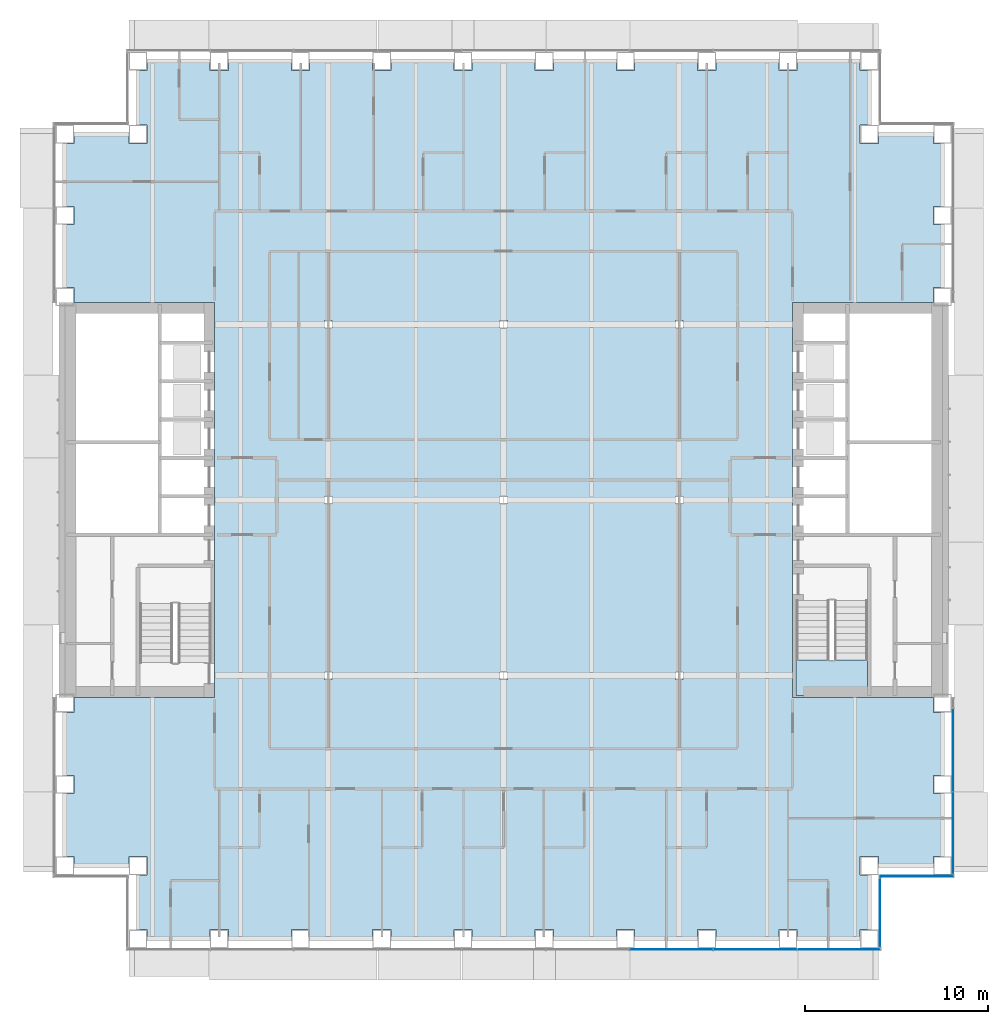
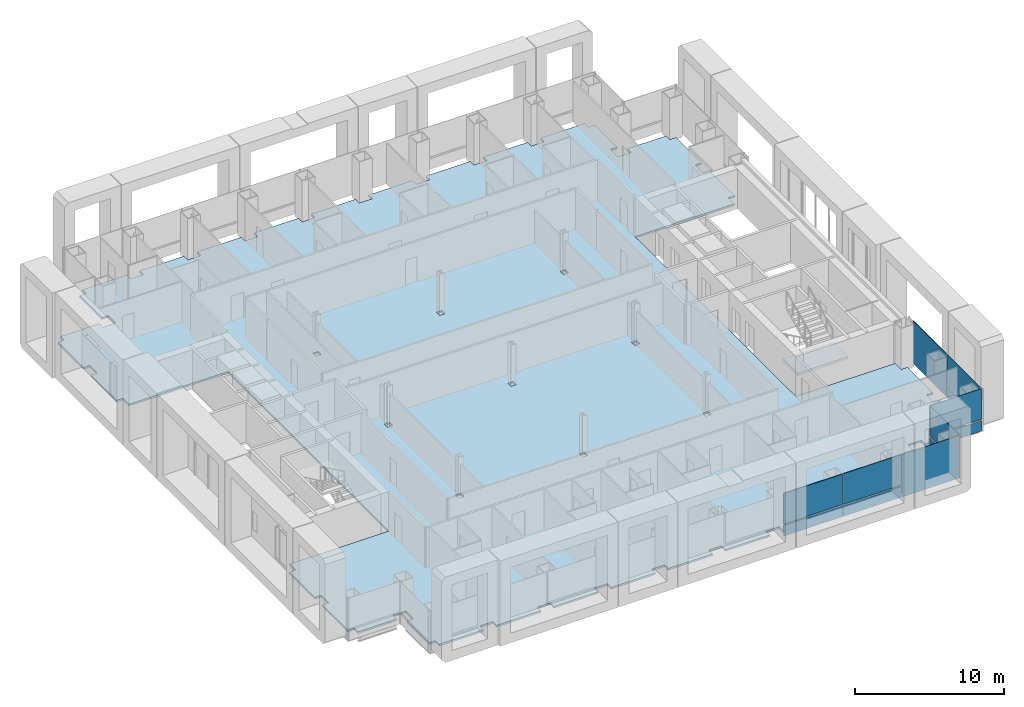
# One storey, part 12 of 25: 12 plates, 2 slabs, 5 elements without a shape of their own.
"""IFC4 building model written with IfcOpenShell, lengths in metres."""

from ifc_helpers import new_model, si_unit, direction, frame, origin, origin_2d, place, context, subcontext, project, spatial, polyline, rectangle, outline, extrude, material, layer, layer_set, type_object, element, aggregate, save


model = new_model("IFC4")

# Units and contexts
model_context = context("Model", 3, precision=1e-05, world=origin(), true_north=direction((0.0, 1.0)))
body_context = subcontext(model_context, "Body", "Model", "MODEL_VIEW")
ifc_project = project(units=[si_unit("LENGTHUNIT", "METRE"), si_unit("AREAUNIT", "SQUARE_METRE"), si_unit("VOLUMEUNIT", "CUBIC_METRE"), si_unit("PLANEANGLEUNIT", "RADIAN"), si_unit("MASSUNIT", "GRAM", prefix="KILO")], contexts=[model_context])

# Site, building, storey
site_placement = place(None, origin())
site = spatial("IfcSite", under=ifc_project, at=site_placement, CompositionType="ELEMENT")
building_placement = place(site_placement, origin())
building = spatial("IfcBuilding", under=site, at=building_placement, Name="Cobrizo Arcos Hotel Tower", CompositionType="ELEMENT")
storey_placement = place(building_placement, frame((0.0, 0.0, 46.0)))
storey = spatial("IfcBuildingStorey", under=building, at=storey_placement, Name="L09", CompositionType="ELEMENT", Elevation=46.0)

# Curtain wall, plates
ifc_material_1 = material(Name="Aluminium 6063-T6 anodised bronze", Category="aluminium")
curtain_wall_type = type_object("IfcCurtainWallType", Name="CW-A guest facade", PredefinedType="NOTDEFINED", material=ifc_material_1)
curtain_wall_1_placement = place(storey_placement, origin())
curtain_wall_1 = element("IfcCurtainWall", 1, at=curtain_wall_1_placement, inside=storey, type_object=curtain_wall_type, Name="CW-A L09 S face", PredefinedType="NOTDEFINED")
ifc_material_2 = material(Name="Glass clear laminated low-e", Category="glass")
ifc_layer_1 = layer(ifc_material_2, 0.0400390625)
ifc_layer_set_1 = layer_set([ifc_layer_1], Name="CW-A glass panel")
plate_type_1 = type_object("IfcPlateType", Name="CW-A glass panel", PredefinedType="CURTAIN_PANEL", material=ifc_layer_set_1)
plate_1_placement = place(storey_placement, frame((9.177734375, -24.574951171875, 0.990234375), z_axis=(0.0, 0.0, 1.0), x_axis=(1.0, 0.0, 0.0)))
plate_1 = element("IfcPlate", 2, at=plate_1_placement, type_object=plate_type_1, Name="CW-A glass panel 443", PredefinedType="CURTAIN_PANEL", context=body_context, shape_type="SweptSolid", body=[
    extrude(rectangle(XDim=4.52880859375, YDim=0.0400390625, at=origin_2d()), origin(), (0.0, 0.0, 1.0), 2.510009765625),
])
plate_2_placement = place(storey_placement, frame((13.7666015625, -24.574951171875, 0.990234375), z_axis=(0.0, 0.0, 1.0), x_axis=(1.0, 0.0, 0.0)))
plate_2 = element("IfcPlate", 3, at=plate_2_placement, type_object=plate_type_1, Name="CW-A glass panel 444", PredefinedType="CURTAIN_PANEL", context=body_context, shape_type="SweptSolid", body=[
    extrude(rectangle(XDim=4.52880859375, YDim=0.0400390625, at=origin_2d()), origin(), (0.0, 0.0, 1.0), 2.510009765625),
])

# Curtain wall, plate
curtain_wall_2_placement = place(storey_placement, origin())
curtain_wall_2 = element("IfcCurtainWall", 4, at=curtain_wall_2_placement, inside=storey, type_object=curtain_wall_type, Name="CW-A L09 E face", PredefinedType="NOTDEFINED")
plate_3_placement = place(storey_placement, frame((20.574951171875, -22.574951171875, 0.990234375), z_axis=(0.0, 0.0, 1.0), x_axis=(0.0, 1.0, 0.0)))
plate_3 = element("IfcPlate", 5, at=plate_3_placement, type_object=plate_type_1, Name="CW-A glass panel 446", PredefinedType="CURTAIN_PANEL", context=body_context, shape_type="SweptSolid", body=[
    extrude(rectangle(XDim=3.72998046875, YDim=0.0400390625, at=origin_2d()), origin(), (0.0, 0.0, 1.0), 2.510009765625),
])

curtain_wall_3_placement = place(storey_placement, origin())
curtain_wall_3 = element("IfcCurtainWall", 6, at=curtain_wall_3_placement, inside=storey, type_object=curtain_wall_type, Name="CW-A L09 S face", PredefinedType="NOTDEFINED")
plate_4_placement = place(storey_placement, frame((22.574951171875, -20.574951171875, 0.990234375), z_axis=(0.0, 0.0, 1.0), x_axis=(1.0, 0.0, 0.0)))
plate_4 = element("IfcPlate", 7, at=plate_4_placement, type_object=plate_type_1, Name="CW-A glass panel 447", PredefinedType="CURTAIN_PANEL", context=body_context, shape_type="SweptSolid", body=[
    extrude(rectangle(XDim=4.030029296875, YDim=0.0400390625, at=origin_2d()), origin(), (0.0, 0.0, 1.0), 2.510009765625),
])

curtain_wall_4_placement = place(storey_placement, origin())
curtain_wall_4 = element("IfcCurtainWall", 8, at=curtain_wall_4_placement, inside=storey, type_object=curtain_wall_type, Name="CW-A L09 E face", PredefinedType="NOTDEFINED")
plate_5_placement = place(storey_placement, frame((24.574951171875, -18.207275390625, 0.990234375), z_axis=(0.0, 0.0, 1.0), x_axis=(0.0, 1.0, 0.0)))
plate_5 = element("IfcPlate", 9, at=plate_5_placement, type_object=plate_type_1, Name="CW-A glass panel 448", PredefinedType="CURTAIN_PANEL", context=body_context, shape_type="SweptSolid", body=[
    extrude(rectangle(XDim=4.465576171875, YDim=0.0400390625, at=origin_2d()), origin(), (0.0, 0.0, 1.0), 2.510009765625),
])

# Plate
ifc_material_3 = material(Name="Aluminium composite panel pale metal", Category="aluminium")
ifc_layer_2 = layer(ifc_material_3, 0.0400390625)
ifc_layer_set_2 = layer_set([ifc_layer_2], Name="CW-A spandrel panel")
plate_type_2 = type_object("IfcPlateType", Name="CW-A spandrel panel", PredefinedType="CURTAIN_PANEL", material=ifc_layer_set_2)
plate_6_placement = place(storey_placement, frame((9.177734375, -24.574951171875, 0.0), z_axis=(0.0, 0.0, 1.0), x_axis=(1.0, 0.0, 0.0)))
plate_6 = element("IfcPlate", 10, at=plate_6_placement, type_object=plate_type_2, Name="CW-A spandrel panel 443", PredefinedType="CURTAIN_PANEL", context=body_context, shape_type="SweptSolid", body=[
    extrude(rectangle(XDim=4.52880859375, YDim=0.0400390625, at=origin_2d()), origin(), (0.0, 0.0, 1.0), 0.8701171875),
])

plate_7_placement = place(storey_placement, frame((13.7666015625, -24.574951171875, 0.0), z_axis=(0.0, 0.0, 1.0), x_axis=(1.0, 0.0, 0.0)))
plate_7 = element("IfcPlate", 11, at=plate_7_placement, type_object=plate_type_2, Name="CW-A spandrel panel 444", PredefinedType="CURTAIN_PANEL", context=body_context, shape_type="SweptSolid", body=[
    extrude(rectangle(XDim=4.52880859375, YDim=0.0400390625, at=origin_2d()), origin(), (0.0, 0.0, 1.0), 0.8701171875),
])

plate_8_placement = place(storey_placement, frame((18.340576171875, -24.574951171875, 0.0), z_axis=(0.0, 0.0, 1.0), x_axis=(1.0, 0.0, 0.0)))
plate_8 = element("IfcPlate", 12, at=plate_8_placement, type_object=plate_type_2, Name="CW-A spandrel panel 445", PredefinedType="CURTAIN_PANEL", context=body_context, shape_type="SweptSolid", body=[
    extrude(rectangle(XDim=4.498779296875, YDim=0.0400390625, at=origin_2d()), origin(), (0.0, 0.0, 1.0), 3.5),
])

aggregate(curtain_wall_1, [plate_6, plate_1, plate_7, plate_2, plate_8])

plate_9_placement = place(storey_placement, frame((20.574951171875, -22.574951171875, 0.0), z_axis=(0.0, 0.0, 1.0), x_axis=(0.0, 1.0, 0.0)))
plate_9 = element("IfcPlate", 13, at=plate_9_placement, type_object=plate_type_2, Name="CW-A spandrel panel 446", PredefinedType="CURTAIN_PANEL", context=body_context, shape_type="SweptSolid", body=[
    extrude(rectangle(XDim=3.72998046875, YDim=0.0400390625, at=origin_2d()), origin(), (0.0, 0.0, 1.0), 0.8701171875),
])

aggregate(curtain_wall_2, [plate_9, plate_3])

plate_10_placement = place(storey_placement, frame((22.574951171875, -20.574951171875, 0.0), z_axis=(0.0, 0.0, 1.0), x_axis=(1.0, 0.0, 0.0)))
plate_10 = element("IfcPlate", 14, at=plate_10_placement, type_object=plate_type_2, Name="CW-A spandrel panel 447", PredefinedType="CURTAIN_PANEL", context=body_context, shape_type="SweptSolid", body=[
    extrude(rectangle(XDim=4.030029296875, YDim=0.0400390625, at=origin_2d()), origin(), (0.0, 0.0, 1.0), 0.8701171875),
])

aggregate(curtain_wall_3, [plate_10, plate_4])

plate_11_placement = place(storey_placement, frame((24.574951171875, -18.207275390625, 0.0), z_axis=(0.0, 0.0, 1.0), x_axis=(0.0, 1.0, 0.0)))
plate_11 = element("IfcPlate", 15, at=plate_11_placement, type_object=plate_type_2, Name="CW-A spandrel panel 448", PredefinedType="CURTAIN_PANEL", context=body_context, shape_type="SweptSolid", body=[
    extrude(rectangle(XDim=4.465576171875, YDim=0.0400390625, at=origin_2d()), origin(), (0.0, 0.0, 1.0), 0.8701171875),
])

plate_12_placement = place(storey_placement, frame((24.574951171875, -13.666748046875, 0.0), z_axis=(0.0, 0.0, 1.0), x_axis=(0.0, 1.0, 0.0)))
plate_12 = element("IfcPlate", 16, at=plate_12_placement, type_object=plate_type_2, Name="CW-A spandrel panel 449", PredefinedType="CURTAIN_PANEL", context=body_context, shape_type="SweptSolid", body=[
    extrude(rectangle(XDim=4.49560546875, YDim=0.0400390625, at=origin_2d()), origin(), (0.0, 0.0, 1.0), 3.5),
])

aggregate(curtain_wall_4, [plate_11, plate_5, plate_12])

# Slab
ifc_material_4 = material(Name="Concrete f'c 35 MPa", Category="concrete")
ifc_layer_3 = layer(ifc_material_4, 0.14990234375)
ifc_layer_set_3 = layer_set([ifc_layer_3], Name="Composite floor slab 150 f'c 35")
slab_type_1 = type_object("IfcSlabType", Name="Composite floor slab 150 f'c 35", PredefinedType="FLOOR", material=ifc_layer_set_3)
slab_1_placement = place(storey_placement, frame((0.0, 0.0, -0.14990234375)))
element("IfcSlab", 17, at=slab_1_placement, inside=storey, type_object=slab_type_1, Name="Floor slab S5, L09, no. 01", PredefinedType="FLOOR", context=body_context, shape_type="SweptSolid", body=[
    extrude(outline(polyline([(-19.5, -24.0), (-19.5, -23.5), (-20.0, -23.5), (-20.0, -20.5), (-19.5, -20.5), (-19.5, -19.5), (-20.5, -19.5), (-20.5, -20.0), (-23.5, -20.0), (-23.5, -19.5), (-24.0, -19.5), (-24.0, -16.055908203125), (-23.5, -16.055908203125), (-23.5, -15.055908203125), (-24.0, -15.055908203125), (-24.0, -11.611083984375), (-23.5, -11.611083984375), (-23.5, -10.800048828125), (-15.800048828125, -10.800048828125), (-15.800048828125, 10.800048828125), (-23.5, 10.800048828125), (-23.5, 11.611083984375), (-24.0, 11.611083984375), (-24.0, 15.055908203125), (-23.5, 15.055908203125), (-23.5, 16.055908203125), (-24.0, 16.055908203125), (-24.0, 19.5), (-23.5, 19.5), (-23.5, 20.0), (-20.5, 20.0), (-20.5, 19.5), (-19.5, 19.5), (-19.5, 20.5), (-20.0, 20.5), (-20.0, 23.5), (-19.5, 23.5), (-19.5, 24.0), (-16.055908203125, 24.0), (-16.055908203125, 23.5), (-15.055908203125, 23.5), (-15.055908203125, 24.0), (-11.611083984375, 24.0), (-11.611083984375, 23.5), (-10.611083984375, 23.5), (-10.611083984375, 24.0), (-7.1669921875, 24.0), (-7.1669921875, 23.5), (-6.1669921875, 23.5), (-6.1669921875, 24.0), (-2.721923828125, 24.0), (-2.721923828125, 23.5), (-1.721923828125, 23.5), (-1.721923828125, 24.0), (1.721923828125, 24.0), (1.721923828125, 23.5), (2.721923828125, 23.5), (2.721923828125, 24.0), (6.1669921875, 24.0), (6.1669921875, 23.5), (7.1669921875, 23.5), (7.1669921875, 24.0), (10.611083984375, 24.0), (10.611083984375, 23.5), (11.611083984375, 23.5), (11.611083984375, 24.0), (15.055908203125, 24.0), (15.055908203125, 23.5), (16.055908203125, 23.5), (16.055908203125, 24.0), (19.5, 24.0), (19.5, 23.5), (20.0, 23.5), (20.0, 20.5), (19.5, 20.5), (19.5, 19.5), (20.5, 19.5), (20.5, 20.0), (23.5, 20.0), (23.5, 19.5), (24.0, 19.5), (24.0, 16.055908203125), (23.5, 16.055908203125), (23.5, 15.055908203125), (24.0, 15.055908203125), (24.0, 11.611083984375), (23.5, 11.611083984375), (23.5, 10.800048828125), (15.800048828125, 10.800048828125), (15.800048828125, -10.800048828125), (23.5, -10.800048828125), (23.5, -11.611083984375), (24.0, -11.611083984375), (24.0, -15.055908203125), (23.5, -15.055908203125), (23.5, -16.055908203125), (24.0, -16.055908203125), (24.0, -19.5), (23.5, -19.5), (23.5, -20.0), (20.5, -20.0), (20.5, -19.5), (19.5, -19.5), (19.5, -20.5), (20.0, -20.5), (20.0, -23.5), (19.5, -23.5), (19.5, -24.0), (16.055908203125, -24.0), (16.055908203125, -23.5), (15.055908203125, -23.5), (15.055908203125, -24.0), (11.611083984375, -24.0), (11.611083984375, -23.5), (10.611083984375, -23.5), (10.611083984375, -24.0), (7.1669921875, -24.0), (7.1669921875, -23.5), (6.1669921875, -23.5), (6.1669921875, -24.0), (2.721923828125, -24.0), (2.721923828125, -23.5), (1.721923828125, -23.5), (1.721923828125, -24.0), (-1.721923828125, -24.0), (-1.721923828125, -23.5), (-2.721923828125, -23.5), (-2.721923828125, -24.0), (-6.1669921875, -24.0), (-6.1669921875, -23.5), (-7.1669921875, -23.5), (-7.1669921875, -24.0), (-10.611083984375, -24.0), (-10.611083984375, -23.5), (-11.611083984375, -23.5), (-11.611083984375, -24.0), (-15.055908203125, -24.0), (-15.055908203125, -23.5), (-16.055908203125, -23.5), (-16.055908203125, -24.0), (-19.5, -24.0)]), holes=[polyline([(-9.3955078125, 9.3955078125), (-9.3955078125, 9.804443359375), (-9.804443359375, 9.804443359375), (-9.804443359375, 9.3955078125), (-9.3955078125, 9.3955078125)]), polyline([(-9.3955078125, -9.804443359375), (-9.3955078125, -9.3955078125), (-9.804443359375, -9.3955078125), (-9.804443359375, -9.804443359375), (-9.3955078125, -9.804443359375)]), polyline([(-0.204345703125, -9.804443359375), (0.204345703125, -9.804443359375), (0.204345703125, -9.3955078125), (-0.204345703125, -9.3955078125), (-0.204345703125, -9.804443359375)]), polyline([(9.3955078125, -9.804443359375), (9.804443359375, -9.804443359375), (9.804443359375, -9.3955078125), (9.3955078125, -9.3955078125), (9.3955078125, -9.804443359375)]), polyline([(-9.3955078125, -0.204345703125), (-9.3955078125, 0.204345703125), (-9.804443359375, 0.204345703125), (-9.804443359375, -0.204345703125), (-9.3955078125, -0.204345703125)]), polyline([(-0.204345703125, -0.204345703125), (0.204345703125, -0.204345703125), (0.204345703125, 0.204345703125), (-0.204345703125, 0.204345703125), (-0.204345703125, -0.204345703125)]), polyline([(9.3955078125, -0.204345703125), (9.804443359375, -0.204345703125), (9.804443359375, 0.204345703125), (9.3955078125, 0.204345703125), (9.3955078125, -0.204345703125)]), polyline([(0.204345703125, 9.3955078125), (0.204345703125, 9.804443359375), (-0.204345703125, 9.804443359375), (-0.204345703125, 9.3955078125), (0.204345703125, 9.3955078125)]), polyline([(9.3955078125, 9.3955078125), (9.804443359375, 9.3955078125), (9.804443359375, 9.804443359375), (9.3955078125, 9.804443359375), (9.3955078125, 9.3955078125)])]), origin(), (0.0, 0.0, 1.0), 0.14990234375),
])

# Stair, slab
ifc_material_5 = material(Name="Concrete f'c 40 MPa", Category="concrete")
stair_type = type_object("IfcStairType", Name="Exit stair", PredefinedType="HALF_TURN_STAIR", material=ifc_material_5)
stair_placement = place(storey_placement, origin())
stair = element("IfcStair", 18, at=stair_placement, inside=storey, type_object=stair_type, Name="L09 Exit stair ST-E", PredefinedType="HALF_TURN_STAIR")
ifc_layer_4 = layer(ifc_material_5, 0.199951171875)
ifc_layer_set_4 = layer_set([ifc_layer_4], Name="Stair landing")
slab_type_2 = type_object("IfcSlabType", Name="Stair landing", PredefinedType="LANDING", material=ifc_layer_set_4)
slab_2_placement = place(storey_placement, frame((0.0, 0.0, 1.550048828125)))
slab_2 = element("IfcSlab", 19, at=slab_2_placement, type_object=slab_type_2, Name="ST-E landing 1", PredefinedType="LANDING", context=body_context, shape_type="SweptSolid", body=[
    extrude(outline(polyline([(16.0, -8.739990234375), (16.0, -10.699951171875), (19.89990234375, -10.699951171875), (19.89990234375, -8.739990234375), (16.0, -8.739990234375)])), origin(), (0.0, 0.0, 1.0), 0.199951171875),
])
aggregate(stair, [slab_2])

save(model, "model.ifc")
